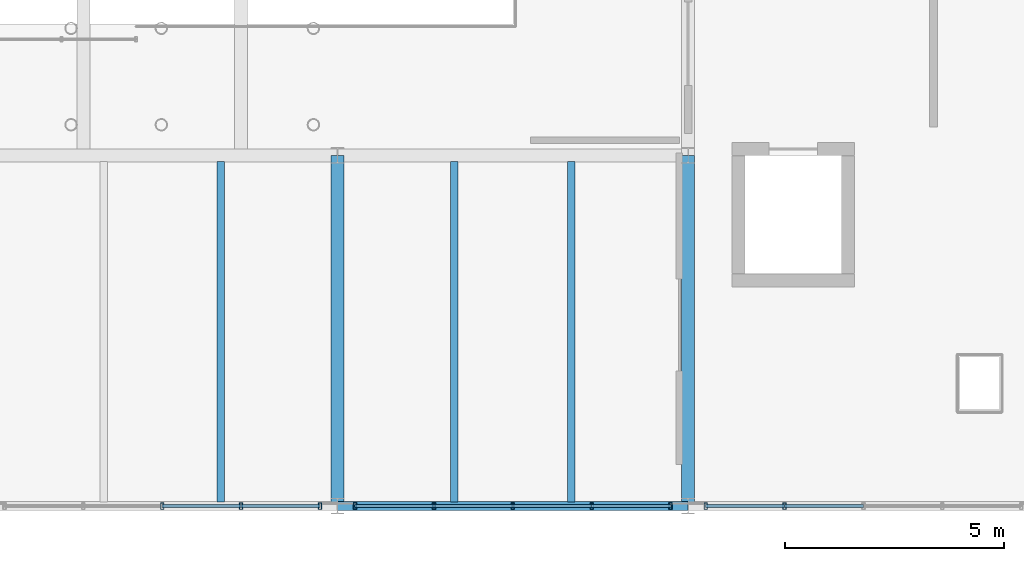
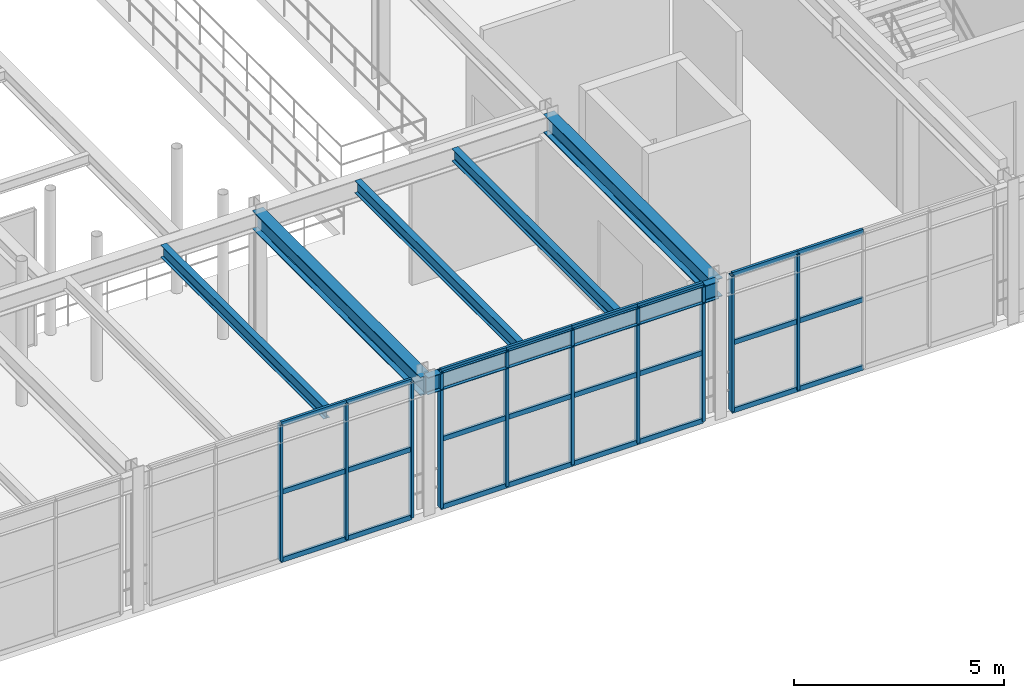
# One storey, part 26 of 122: 34 members, 6 beams, 3 elements without a shape of their own.
"""IFC4 building model written with IfcOpenShell, lengths in metres."""

from ifc_helpers import new_model, si_unit, direction, frame, origin, origin_2d, place, context, subcontext, project, spatial, hollow_rectangle, i_section, extrude, material, material_profile, profile_set, type_object, element, aggregate, save


model = new_model("IFC4")

# Units and contexts
model_context = context("Model", 3, precision=1e-05, world=origin(), true_north=direction((0.0, 1.0)))
body_context = subcontext(model_context, "Body", "Model", "MODEL_VIEW")
ifc_project = project(units=[si_unit("LENGTHUNIT", "METRE"), si_unit("AREAUNIT", "SQUARE_METRE"), si_unit("VOLUMEUNIT", "CUBIC_METRE"), si_unit("PLANEANGLEUNIT", "RADIAN"), si_unit("MASSUNIT", "GRAM", prefix="KILO")], contexts=[model_context])

# Site, building, storey
site_placement = place(None, origin())
site = spatial("IfcSite", under=ifc_project, at=site_placement, CompositionType="ELEMENT")
building_placement = place(site_placement, origin())
building = spatial("IfcBuilding", under=site, at=building_placement, Name="Sundkrona Museum", CompositionType="ELEMENT")
storey_placement = place(building_placement, frame((0.0, 0.0, 5.39990234375)))
storey = spatial("IfcBuildingStorey", under=building, at=storey_placement, Name="L01", CompositionType="ELEMENT", Elevation=5.39990234375)

# Beams
ifc_material_1 = material(Name="Steel S355J2", Category="steel")
ifc_material_profile_1 = material_profile(ifc_material_1, i_section(OverallWidth=0.300048828125, OverallDepth=0.5400390625, WebThickness=0.012451171875, FlangeThickness=0.02392578125, FilletRadius=0.027099609375, at=origin_2d()), Name="HEA 550")
ifc_profile_set_1 = profile_set([ifc_material_profile_1], Name="Steel S355J2")
beam_type_1 = type_object("IfcBeamType", Name="B-HEA550", PredefinedType="BEAM", material=ifc_profile_set_1)
for number, where, z_axis, x_axis, name in (
    (1, (104.0, 0.0, 3.670166015625), (0.0, 1.0, 0.0), (-1.0, 0.0, 0.0), "L01 Girder Y-1025"),
    (2, (112.0, 0.0, 3.670166015625), (0.0, 1.0, 0.0), (-1.0, 0.0, 0.0), "L01 Girder Y-1032"),
):
    element("IfcBeam", number, at=place(storey_placement, frame(where, z_axis=z_axis, x_axis=x_axis)), inside=storey, type_object=beam_type_1, Name=name, PredefinedType="BEAM", context=body_context, shape_type="SweptSolid", body=[
        extrude(i_section(OverallWidth=0.300048828125, OverallDepth=0.5400390625, WebThickness=0.012451171875, FlangeThickness=0.02392578125, FilletRadius=0.027099609375, at=origin_2d()), origin(), (0.0, 0.0, 1.0), 8.0),
    ])
ifc_material_profile_2 = material_profile(ifc_material_1, i_section(OverallWidth=0.169921875, OverallDepth=0.360107421875, WebThickness=0.008056640625, FlangeThickness=0.0126953125, FilletRadius=0.01806640625, at=origin_2d()), Name="IPE 360")
ifc_profile_set_2 = profile_set([ifc_material_profile_2], Name="Steel S355J2")
beam_type_2 = type_object("IfcBeamType", Name="J-IPE360", PredefinedType="JOIST", material=ifc_profile_set_2)
for number, where, z_axis, x_axis, name in (
    (3, (101.333251953125, 0.093994140625, 3.760009765625), (0.0, 1.0, 0.0), (-1.0, 0.0, 0.0), "L01 Composite Joist 0643"),
    (4, (106.666748046875, 0.093994140625, 3.760009765625), (0.0, 1.0, 0.0), (-1.0, 0.0, 0.0), "L01 Composite Joist 0646"),
    (5, (109.333251953125, 0.093994140625, 3.760009765625), (0.0, 1.0, 0.0), (-1.0, 0.0, 0.0), "L01 Composite Joist 0647"),
):
    element("IfcBeam", number, at=place(storey_placement, frame(where, z_axis=z_axis, x_axis=x_axis)), inside=storey, type_object=beam_type_2, Name=name, PredefinedType="JOIST", context=body_context, shape_type="SweptSolid", body=[
        extrude(i_section(OverallWidth=0.169921875, OverallDepth=0.360107421875, WebThickness=0.008056640625, FlangeThickness=0.0126953125, FilletRadius=0.01806640625, at=origin_2d()), origin(), (0.0, 0.0, 1.0), 7.761962890625),
    ])

# Curtain wall, members
ifc_material_2 = material(Name="Unitised Aluminium-Steel and Ceramic-Clad Curtain Walling", Category="steel")
curtain_wall_type = type_object("IfcCurtainWallType", Name="CW-AT-72x38", PredefinedType="NOTDEFINED", material=ifc_material_2)
curtain_wall_1_placement = place(storey_placement, origin())
curtain_wall_1 = element("IfcCurtainWall", 6, at=curtain_wall_1_placement, inside=storey, type_object=curtain_wall_type, Name="L01 Curtain Wall CW-L01-030", PredefinedType="NOTDEFINED")
ifc_material_3 = material(Name="Aluminium EN AW-6060 T66", Category="aluminium")
ifc_material_profile_3 = material_profile(ifc_material_3, hollow_rectangle(XDim=0.074951171875, YDim=0.14990234375, WallThickness=0.00634765625, at=origin_2d()), Name="RHS 150x75x6.3")
ifc_profile_set_3 = profile_set([ifc_material_profile_3], Name="Aluminium EN AW-6060 T66")
member_type_1 = type_object("IfcMemberType", Name="ML-150", PredefinedType="MULLION", material=ifc_profile_set_3)
member_1_placement = place(storey_placement, frame((100.0, 0.0, -0.00390625), z_axis=(0.0, 0.0, 1.0), x_axis=(1.0, 0.0, 0.0)))
member_1 = element("IfcMember", 7, at=member_1_placement, type_object=member_type_1, Name="CW-L01-030 Mullion 03", PredefinedType="MULLION", context=body_context, shape_type="SweptSolid", body=[
    extrude(hollow_rectangle(XDim=0.074951171875, YDim=0.14990234375, WallThickness=0.00634765625, at=origin_2d()), origin(), (0.0, 0.0, 1.0), 3.947998046875),
])
member_2_placement = place(storey_placement, frame((101.800048828125, 0.0, -0.00390625), z_axis=(0.0, 0.0, 1.0), x_axis=(1.0, 0.0, 0.0)))
member_2 = element("IfcMember", 8, at=member_2_placement, type_object=member_type_1, Name="CW-L01-030 Mullion 04", PredefinedType="MULLION", context=body_context, shape_type="SweptSolid", body=[
    extrude(hollow_rectangle(XDim=0.074951171875, YDim=0.14990234375, WallThickness=0.00634765625, at=origin_2d()), origin(), (0.0, 0.0, 1.0), 3.947998046875),
])
member_3_placement = place(storey_placement, frame((103.60009765625, 0.0, -0.00390625), z_axis=(0.0, 0.0, 1.0), x_axis=(1.0, 0.0, 0.0)))
member_3 = element("IfcMember", 9, at=member_3_placement, type_object=member_type_1, Name="CW-L01-030 Mullion 05", PredefinedType="MULLION", context=body_context, shape_type="SweptSolid", body=[
    extrude(hollow_rectangle(XDim=0.074951171875, YDim=0.14990234375, WallThickness=0.00634765625, at=origin_2d()), origin(), (0.0, 0.0, 1.0), 3.947998046875),
])

curtain_wall_2_placement = place(storey_placement, origin())
curtain_wall_2 = element("IfcCurtainWall", 10, at=curtain_wall_2_placement, inside=storey, type_object=curtain_wall_type, Name="L01 Curtain Wall CW-L01-031", PredefinedType="NOTDEFINED")
member_4_placement = place(storey_placement, frame((104.39990234375, 0.0, -0.00390625), z_axis=(0.0, 0.0, 1.0), x_axis=(1.0, 0.0, 0.0)))
member_4 = element("IfcMember", 11, at=member_4_placement, type_object=member_type_1, Name="CW-L01-031 Mullion 01", PredefinedType="MULLION", context=body_context, shape_type="SweptSolid", body=[
    extrude(hollow_rectangle(XDim=0.074951171875, YDim=0.14990234375, WallThickness=0.00634765625, at=origin_2d()), origin(), (0.0, 0.0, 1.0), 3.947998046875),
])
member_5_placement = place(storey_placement, frame((106.199951171875, 0.0, -0.00390625), z_axis=(0.0, 0.0, 1.0), x_axis=(1.0, 0.0, 0.0)))
member_5 = element("IfcMember", 12, at=member_5_placement, type_object=member_type_1, Name="CW-L01-031 Mullion 02", PredefinedType="MULLION", context=body_context, shape_type="SweptSolid", body=[
    extrude(hollow_rectangle(XDim=0.074951171875, YDim=0.14990234375, WallThickness=0.00634765625, at=origin_2d()), origin(), (0.0, 0.0, 1.0), 3.947998046875),
])
member_6_placement = place(storey_placement, frame((108.0, 0.0, -0.00390625), z_axis=(0.0, 0.0, 1.0), x_axis=(1.0, 0.0, 0.0)))
member_6 = element("IfcMember", 13, at=member_6_placement, type_object=member_type_1, Name="CW-L01-031 Mullion 03", PredefinedType="MULLION", context=body_context, shape_type="SweptSolid", body=[
    extrude(hollow_rectangle(XDim=0.074951171875, YDim=0.14990234375, WallThickness=0.00634765625, at=origin_2d()), origin(), (0.0, 0.0, 1.0), 3.947998046875),
])
member_7_placement = place(storey_placement, frame((109.800048828125, 0.0, -0.00390625), z_axis=(0.0, 0.0, 1.0), x_axis=(1.0, 0.0, 0.0)))
member_7 = element("IfcMember", 14, at=member_7_placement, type_object=member_type_1, Name="CW-L01-031 Mullion 04", PredefinedType="MULLION", context=body_context, shape_type="SweptSolid", body=[
    extrude(hollow_rectangle(XDim=0.074951171875, YDim=0.14990234375, WallThickness=0.00634765625, at=origin_2d()), origin(), (0.0, 0.0, 1.0), 3.947998046875),
])
member_8_placement = place(storey_placement, frame((111.60009765625, 0.0, -0.00390625), z_axis=(0.0, 0.0, 1.0), x_axis=(1.0, 0.0, 0.0)))
member_8 = element("IfcMember", 15, at=member_8_placement, type_object=member_type_1, Name="CW-L01-031 Mullion 05", PredefinedType="MULLION", context=body_context, shape_type="SweptSolid", body=[
    extrude(hollow_rectangle(XDim=0.074951171875, YDim=0.14990234375, WallThickness=0.00634765625, at=origin_2d()), origin(), (0.0, 0.0, 1.0), 3.947998046875),
])

curtain_wall_3_placement = place(storey_placement, origin())
curtain_wall_3 = element("IfcCurtainWall", 16, at=curtain_wall_3_placement, inside=storey, type_object=curtain_wall_type, Name="L01 Curtain Wall CW-L01-032", PredefinedType="NOTDEFINED")
member_9_placement = place(storey_placement, frame((112.39990234375, 0.0, -0.00390625), z_axis=(0.0, 0.0, 1.0), x_axis=(1.0, 0.0, 0.0)))
member_9 = element("IfcMember", 17, at=member_9_placement, type_object=member_type_1, Name="CW-L01-032 Mullion 01", PredefinedType="MULLION", context=body_context, shape_type="SweptSolid", body=[
    extrude(hollow_rectangle(XDim=0.074951171875, YDim=0.14990234375, WallThickness=0.00634765625, at=origin_2d()), origin(), (0.0, 0.0, 1.0), 3.947998046875),
])
member_10_placement = place(storey_placement, frame((114.199951171875, 0.0, -0.00390625), z_axis=(0.0, 0.0, 1.0), x_axis=(1.0, 0.0, 0.0)))
member_10 = element("IfcMember", 18, at=member_10_placement, type_object=member_type_1, Name="CW-L01-032 Mullion 02", PredefinedType="MULLION", context=body_context, shape_type="SweptSolid", body=[
    extrude(hollow_rectangle(XDim=0.074951171875, YDim=0.14990234375, WallThickness=0.00634765625, at=origin_2d()), origin(), (0.0, 0.0, 1.0), 3.947998046875),
])

# Beam
ifc_material_profile_4 = material_profile(ifc_material_1, i_section(OverallWidth=0.199951171875, OverallDepth=0.5, WebThickness=0.01025390625, FlangeThickness=0.01611328125, FilletRadius=0.02099609375, at=origin_2d()), Name="IPE 500")
ifc_profile_set_4 = profile_set([ifc_material_profile_4], Name="Steel S355J2")
beam_type_3 = type_object("IfcBeamType", Name="SP-IPE500", PredefinedType="SPANDREL", material=ifc_profile_set_4)
beam_placement = place(storey_placement, frame((104.0, 0.0, 3.690185546875), z_axis=(1.0, 0.0, 0.0), x_axis=(0.0, 1.0, 0.0)))
element("IfcBeam", 19, at=beam_placement, inside=storey, type_object=beam_type_3, Name="L01 Girder X-0811", PredefinedType="SPANDREL", context=body_context, shape_type="SweptSolid", body=[
    extrude(i_section(OverallWidth=0.199951171875, OverallDepth=0.5, WebThickness=0.01025390625, FlangeThickness=0.01611328125, FilletRadius=0.02099609375, at=origin_2d()), origin(), (0.0, 0.0, 1.0), 8.0),
])

# Member
ifc_material_profile_5 = material_profile(ifc_material_3, hollow_rectangle(XDim=0.070068359375, YDim=0.139892578125, WallThickness=0.0048828125, at=origin_2d()), Name="RHS 140x70x5.0")
ifc_profile_set_5 = profile_set([ifc_material_profile_5], Name="Aluminium EN AW-6060 T66")
member_type_2 = type_object("IfcMemberType", Name="TR-140", PredefinedType="USERDEFINED", material=ifc_profile_set_5)
member_11_placement = place(storey_placement, frame((100.0, 0.0, -0.00390625), z_axis=(1.0, 0.0, 0.0), x_axis=(0.0, 1.0, 0.0)))
member_11 = element("IfcMember", 20, at=member_11_placement, type_object=member_type_2, Name="CW-L01-030 Transom 07", ObjectType="TRANSOM", PredefinedType="USERDEFINED", context=body_context, shape_type="SweptSolid", body=[
    extrude(hollow_rectangle(XDim=0.070068359375, YDim=0.139892578125, WallThickness=0.0048828125, at=origin_2d()), origin(), (0.0, 0.0, 1.0), 1.800048828125),
])

member_12_placement = place(storey_placement, frame((100.0, 0.0, 1.97021484375), z_axis=(1.0, 0.0, 0.0), x_axis=(0.0, 1.0, 0.0)))
member_12 = element("IfcMember", 21, at=member_12_placement, type_object=member_type_2, Name="CW-L01-030 Transom 08", ObjectType="TRANSOM", PredefinedType="USERDEFINED", context=body_context, shape_type="SweptSolid", body=[
    extrude(hollow_rectangle(XDim=0.070068359375, YDim=0.139892578125, WallThickness=0.0048828125, at=origin_2d()), origin(), (0.0, 0.0, 1.0), 1.800048828125),
])

member_13_placement = place(storey_placement, frame((100.0, 0.0, 3.944091796875), z_axis=(1.0, 0.0, 0.0), x_axis=(0.0, 1.0, 0.0)))
member_13 = element("IfcMember", 22, at=member_13_placement, type_object=member_type_2, Name="CW-L01-030 Transom 09", ObjectType="TRANSOM", PredefinedType="USERDEFINED", context=body_context, shape_type="SweptSolid", body=[
    extrude(hollow_rectangle(XDim=0.070068359375, YDim=0.139892578125, WallThickness=0.0048828125, at=origin_2d()), origin(), (0.0, 0.0, 1.0), 1.800048828125),
])

member_14_placement = place(storey_placement, frame((101.800048828125, 0.0, -0.00390625), z_axis=(1.0, 0.0, 0.0), x_axis=(0.0, 1.0, 0.0)))
member_14 = element("IfcMember", 23, at=member_14_placement, type_object=member_type_2, Name="CW-L01-030 Transom 10", ObjectType="TRANSOM", PredefinedType="USERDEFINED", context=body_context, shape_type="SweptSolid", body=[
    extrude(hollow_rectangle(XDim=0.070068359375, YDim=0.139892578125, WallThickness=0.0048828125, at=origin_2d()), origin(), (0.0, 0.0, 1.0), 1.800048828125),
])

member_15_placement = place(storey_placement, frame((101.800048828125, 0.0, 1.97021484375), z_axis=(1.0, 0.0, 0.0), x_axis=(0.0, 1.0, 0.0)))
member_15 = element("IfcMember", 24, at=member_15_placement, type_object=member_type_2, Name="CW-L01-030 Transom 11", ObjectType="TRANSOM", PredefinedType="USERDEFINED", context=body_context, shape_type="SweptSolid", body=[
    extrude(hollow_rectangle(XDim=0.070068359375, YDim=0.139892578125, WallThickness=0.0048828125, at=origin_2d()), origin(), (0.0, 0.0, 1.0), 1.800048828125),
])

member_16_placement = place(storey_placement, frame((101.800048828125, 0.0, 3.944091796875), z_axis=(1.0, 0.0, 0.0), x_axis=(0.0, 1.0, 0.0)))
member_16 = element("IfcMember", 25, at=member_16_placement, type_object=member_type_2, Name="CW-L01-030 Transom 12", ObjectType="TRANSOM", PredefinedType="USERDEFINED", context=body_context, shape_type="SweptSolid", body=[
    extrude(hollow_rectangle(XDim=0.070068359375, YDim=0.139892578125, WallThickness=0.0048828125, at=origin_2d()), origin(), (0.0, 0.0, 1.0), 1.800048828125),
])

aggregate(curtain_wall_1, [member_1, member_2, member_3, member_11, member_12, member_13, member_14, member_15, member_16])

member_17_placement = place(storey_placement, frame((104.39990234375, 0.0, -0.00390625), z_axis=(1.0, 0.0, 0.0), x_axis=(0.0, 1.0, 0.0)))
member_17 = element("IfcMember", 26, at=member_17_placement, type_object=member_type_2, Name="CW-L01-031 Transom 01", ObjectType="TRANSOM", PredefinedType="USERDEFINED", context=body_context, shape_type="SweptSolid", body=[
    extrude(hollow_rectangle(XDim=0.070068359375, YDim=0.139892578125, WallThickness=0.0048828125, at=origin_2d()), origin(), (0.0, 0.0, 1.0), 1.800048828125),
])

member_18_placement = place(storey_placement, frame((104.39990234375, 0.0, 1.97021484375), z_axis=(1.0, 0.0, 0.0), x_axis=(0.0, 1.0, 0.0)))
member_18 = element("IfcMember", 27, at=member_18_placement, type_object=member_type_2, Name="CW-L01-031 Transom 02", ObjectType="TRANSOM", PredefinedType="USERDEFINED", context=body_context, shape_type="SweptSolid", body=[
    extrude(hollow_rectangle(XDim=0.070068359375, YDim=0.139892578125, WallThickness=0.0048828125, at=origin_2d()), origin(), (0.0, 0.0, 1.0), 1.800048828125),
])

member_19_placement = place(storey_placement, frame((104.39990234375, 0.0, 3.944091796875), z_axis=(1.0, 0.0, 0.0), x_axis=(0.0, 1.0, 0.0)))
member_19 = element("IfcMember", 28, at=member_19_placement, type_object=member_type_2, Name="CW-L01-031 Transom 03", ObjectType="TRANSOM", PredefinedType="USERDEFINED", context=body_context, shape_type="SweptSolid", body=[
    extrude(hollow_rectangle(XDim=0.070068359375, YDim=0.139892578125, WallThickness=0.0048828125, at=origin_2d()), origin(), (0.0, 0.0, 1.0), 1.800048828125),
])

member_20_placement = place(storey_placement, frame((106.199951171875, 0.0, -0.00390625), z_axis=(1.0, 0.0, 0.0), x_axis=(0.0, 1.0, 0.0)))
member_20 = element("IfcMember", 29, at=member_20_placement, type_object=member_type_2, Name="CW-L01-031 Transom 04", ObjectType="TRANSOM", PredefinedType="USERDEFINED", context=body_context, shape_type="SweptSolid", body=[
    extrude(hollow_rectangle(XDim=0.070068359375, YDim=0.139892578125, WallThickness=0.0048828125, at=origin_2d()), origin(), (0.0, 0.0, 1.0), 1.800048828125),
])

member_21_placement = place(storey_placement, frame((106.199951171875, 0.0, 1.97021484375), z_axis=(1.0, 0.0, 0.0), x_axis=(0.0, 1.0, 0.0)))
member_21 = element("IfcMember", 30, at=member_21_placement, type_object=member_type_2, Name="CW-L01-031 Transom 05", ObjectType="TRANSOM", PredefinedType="USERDEFINED", context=body_context, shape_type="SweptSolid", body=[
    extrude(hollow_rectangle(XDim=0.070068359375, YDim=0.139892578125, WallThickness=0.0048828125, at=origin_2d()), origin(), (0.0, 0.0, 1.0), 1.800048828125),
])

member_22_placement = place(storey_placement, frame((106.199951171875, 0.0, 3.944091796875), z_axis=(1.0, 0.0, 0.0), x_axis=(0.0, 1.0, 0.0)))
member_22 = element("IfcMember", 31, at=member_22_placement, type_object=member_type_2, Name="CW-L01-031 Transom 06", ObjectType="TRANSOM", PredefinedType="USERDEFINED", context=body_context, shape_type="SweptSolid", body=[
    extrude(hollow_rectangle(XDim=0.070068359375, YDim=0.139892578125, WallThickness=0.0048828125, at=origin_2d()), origin(), (0.0, 0.0, 1.0), 1.800048828125),
])

member_23_placement = place(storey_placement, frame((108.0, 0.0, -0.00390625), z_axis=(1.0, 0.0, 0.0), x_axis=(0.0, 1.0, 0.0)))
member_23 = element("IfcMember", 32, at=member_23_placement, type_object=member_type_2, Name="CW-L01-031 Transom 07", ObjectType="TRANSOM", PredefinedType="USERDEFINED", context=body_context, shape_type="SweptSolid", body=[
    extrude(hollow_rectangle(XDim=0.070068359375, YDim=0.139892578125, WallThickness=0.0048828125, at=origin_2d()), origin(), (0.0, 0.0, 1.0), 1.800048828125),
])

member_24_placement = place(storey_placement, frame((108.0, 0.0, 1.97021484375), z_axis=(1.0, 0.0, 0.0), x_axis=(0.0, 1.0, 0.0)))
member_24 = element("IfcMember", 33, at=member_24_placement, type_object=member_type_2, Name="CW-L01-031 Transom 08", ObjectType="TRANSOM", PredefinedType="USERDEFINED", context=body_context, shape_type="SweptSolid", body=[
    extrude(hollow_rectangle(XDim=0.070068359375, YDim=0.139892578125, WallThickness=0.0048828125, at=origin_2d()), origin(), (0.0, 0.0, 1.0), 1.800048828125),
])

member_25_placement = place(storey_placement, frame((108.0, 0.0, 3.944091796875), z_axis=(1.0, 0.0, 0.0), x_axis=(0.0, 1.0, 0.0)))
member_25 = element("IfcMember", 34, at=member_25_placement, type_object=member_type_2, Name="CW-L01-031 Transom 09", ObjectType="TRANSOM", PredefinedType="USERDEFINED", context=body_context, shape_type="SweptSolid", body=[
    extrude(hollow_rectangle(XDim=0.070068359375, YDim=0.139892578125, WallThickness=0.0048828125, at=origin_2d()), origin(), (0.0, 0.0, 1.0), 1.800048828125),
])

member_26_placement = place(storey_placement, frame((109.800048828125, 0.0, -0.00390625), z_axis=(1.0, 0.0, 0.0), x_axis=(0.0, 1.0, 0.0)))
member_26 = element("IfcMember", 35, at=member_26_placement, type_object=member_type_2, Name="CW-L01-031 Transom 10", ObjectType="TRANSOM", PredefinedType="USERDEFINED", context=body_context, shape_type="SweptSolid", body=[
    extrude(hollow_rectangle(XDim=0.070068359375, YDim=0.139892578125, WallThickness=0.0048828125, at=origin_2d()), origin(), (0.0, 0.0, 1.0), 1.800048828125),
])

member_27_placement = place(storey_placement, frame((109.800048828125, 0.0, 1.97021484375), z_axis=(1.0, 0.0, 0.0), x_axis=(0.0, 1.0, 0.0)))
member_27 = element("IfcMember", 36, at=member_27_placement, type_object=member_type_2, Name="CW-L01-031 Transom 11", ObjectType="TRANSOM", PredefinedType="USERDEFINED", context=body_context, shape_type="SweptSolid", body=[
    extrude(hollow_rectangle(XDim=0.070068359375, YDim=0.139892578125, WallThickness=0.0048828125, at=origin_2d()), origin(), (0.0, 0.0, 1.0), 1.800048828125),
])

member_28_placement = place(storey_placement, frame((109.800048828125, 0.0, 3.944091796875), z_axis=(1.0, 0.0, 0.0), x_axis=(0.0, 1.0, 0.0)))
member_28 = element("IfcMember", 37, at=member_28_placement, type_object=member_type_2, Name="CW-L01-031 Transom 12", ObjectType="TRANSOM", PredefinedType="USERDEFINED", context=body_context, shape_type="SweptSolid", body=[
    extrude(hollow_rectangle(XDim=0.070068359375, YDim=0.139892578125, WallThickness=0.0048828125, at=origin_2d()), origin(), (0.0, 0.0, 1.0), 1.800048828125),
])

aggregate(curtain_wall_2, [member_4, member_5, member_6, member_7, member_8, member_17, member_18, member_19, member_20, member_21, member_22, member_23, member_24, member_25, member_26, member_27, member_28])

member_29_placement = place(storey_placement, frame((112.39990234375, 0.0, -0.00390625), z_axis=(1.0, 0.0, 0.0), x_axis=(0.0, 1.0, 0.0)))
member_29 = element("IfcMember", 38, at=member_29_placement, type_object=member_type_2, Name="CW-L01-032 Transom 01", ObjectType="TRANSOM", PredefinedType="USERDEFINED", context=body_context, shape_type="SweptSolid", body=[
    extrude(hollow_rectangle(XDim=0.070068359375, YDim=0.139892578125, WallThickness=0.0048828125, at=origin_2d()), origin(), (0.0, 0.0, 1.0), 1.800048828125),
])

member_30_placement = place(storey_placement, frame((112.39990234375, 0.0, 1.97021484375), z_axis=(1.0, 0.0, 0.0), x_axis=(0.0, 1.0, 0.0)))
member_30 = element("IfcMember", 39, at=member_30_placement, type_object=member_type_2, Name="CW-L01-032 Transom 02", ObjectType="TRANSOM", PredefinedType="USERDEFINED", context=body_context, shape_type="SweptSolid", body=[
    extrude(hollow_rectangle(XDim=0.070068359375, YDim=0.139892578125, WallThickness=0.0048828125, at=origin_2d()), origin(), (0.0, 0.0, 1.0), 1.800048828125),
])

member_31_placement = place(storey_placement, frame((112.39990234375, 0.0, 3.944091796875), z_axis=(1.0, 0.0, 0.0), x_axis=(0.0, 1.0, 0.0)))
member_31 = element("IfcMember", 40, at=member_31_placement, type_object=member_type_2, Name="CW-L01-032 Transom 03", ObjectType="TRANSOM", PredefinedType="USERDEFINED", context=body_context, shape_type="SweptSolid", body=[
    extrude(hollow_rectangle(XDim=0.070068359375, YDim=0.139892578125, WallThickness=0.0048828125, at=origin_2d()), origin(), (0.0, 0.0, 1.0), 1.800048828125),
])

member_32_placement = place(storey_placement, frame((114.199951171875, 0.0, -0.00390625), z_axis=(1.0, 0.0, 0.0), x_axis=(0.0, 1.0, 0.0)))
member_32 = element("IfcMember", 41, at=member_32_placement, type_object=member_type_2, Name="CW-L01-032 Transom 04", ObjectType="TRANSOM", PredefinedType="USERDEFINED", context=body_context, shape_type="SweptSolid", body=[
    extrude(hollow_rectangle(XDim=0.070068359375, YDim=0.139892578125, WallThickness=0.0048828125, at=origin_2d()), origin(), (0.0, 0.0, 1.0), 1.800048828125),
])

member_33_placement = place(storey_placement, frame((114.199951171875, 0.0, 1.97021484375), z_axis=(1.0, 0.0, 0.0), x_axis=(0.0, 1.0, 0.0)))
member_33 = element("IfcMember", 42, at=member_33_placement, type_object=member_type_2, Name="CW-L01-032 Transom 05", ObjectType="TRANSOM", PredefinedType="USERDEFINED", context=body_context, shape_type="SweptSolid", body=[
    extrude(hollow_rectangle(XDim=0.070068359375, YDim=0.139892578125, WallThickness=0.0048828125, at=origin_2d()), origin(), (0.0, 0.0, 1.0), 1.800048828125),
])

member_34_placement = place(storey_placement, frame((114.199951171875, 0.0, 3.944091796875), z_axis=(1.0, 0.0, 0.0), x_axis=(0.0, 1.0, 0.0)))
member_34 = element("IfcMember", 43, at=member_34_placement, type_object=member_type_2, Name="CW-L01-032 Transom 06", ObjectType="TRANSOM", PredefinedType="USERDEFINED", context=body_context, shape_type="SweptSolid", body=[
    extrude(hollow_rectangle(XDim=0.070068359375, YDim=0.139892578125, WallThickness=0.0048828125, at=origin_2d()), origin(), (0.0, 0.0, 1.0), 1.800048828125),
])

aggregate(curtain_wall_3, [member_9, member_10, member_29, member_30, member_31, member_32, member_33, member_34])

save(model, "model.ifc")
